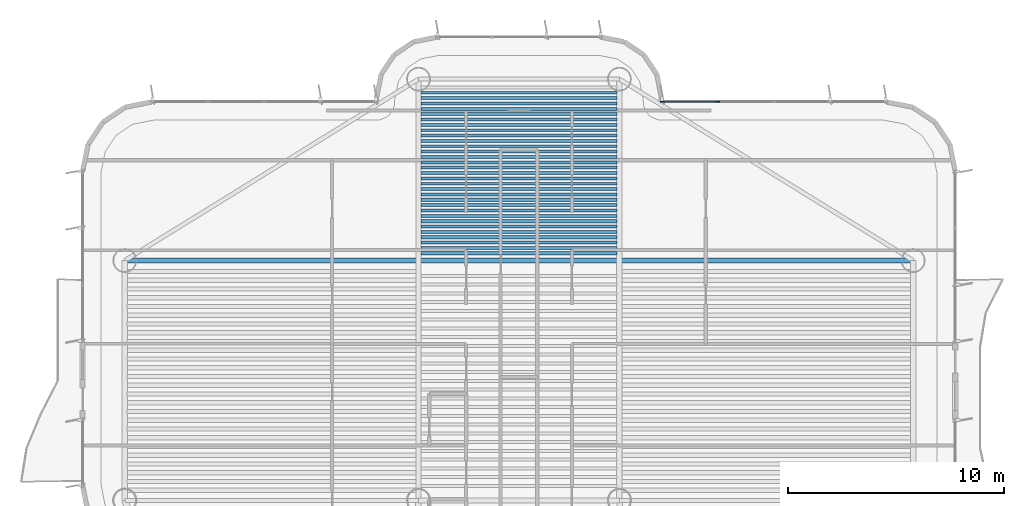
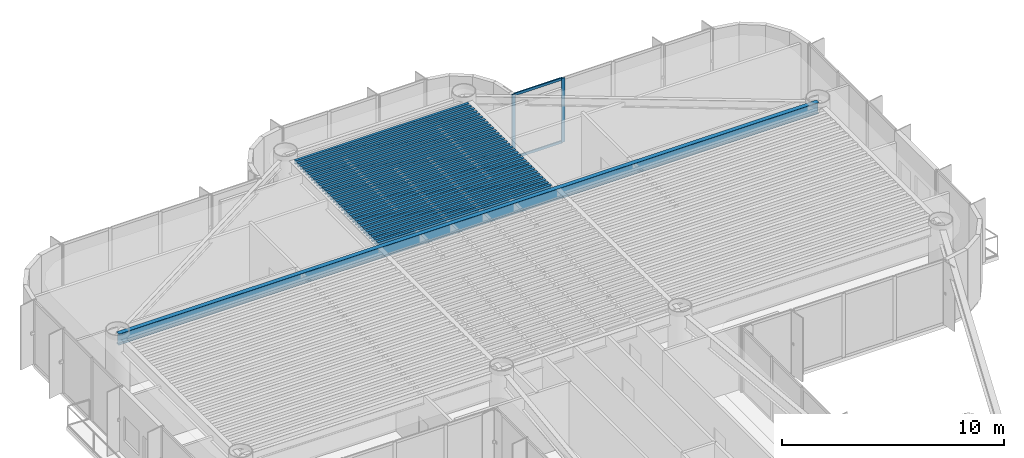
# One storey, part 6 of 14: 32 beams, 4 members, 1 element without a shape of its own.
"""IFC4 building model written with IfcOpenShell, lengths in metres."""

import ifcopenshell
import ifcopenshell.guid

model = None  # the IFC model being written
_history = None  # IfcOwnerHistory: only IFC2X3 demands one
_inside = {}  # id of a spatial element -> (the spatial element, [elements in it])
_under = {}  # id of a project, library or spatial element -> (it, [spatial elements below it])
_declared = {}  # id of a project -> (the project, [libraries it declares])
_typed = {}  # id of a type object -> (the type object, [elements of that type])
_made_of = {}  # id of a material, layer set ... -> (it, [elements and type objects made of it])


def new_model(schema):
    """Start an empty IFC model of exactly this schema.

    Asked for "IFC4X3", IfcOpenShell would pick the latest addendum, in which some entities
    have other attributes; the version numbers below select the first issue.
    IFC2X3 requires an IfcOwnerHistory on every rooted entity: one is made here for all.
    """
    global model, _history
    if schema == "IFC4X3":
        model = ifcopenshell.file(schema_version=(4, 3, 0, 0))
    else:
        model = ifcopenshell.file(schema=schema)
    _inside.clear()
    _under.clear()
    _declared.clear()
    _typed.clear()
    _made_of.clear()
    _history = None
    if model.schema == "IFC2X3":
        org = make("IfcOrganization", Name="unknown")
        user = make(
            "IfcPersonAndOrganization",
            ThePerson=make("IfcPerson", FamilyName="unknown"),
            TheOrganization=org,
        )
        app = make(
            "IfcApplication",
            ApplicationDeveloper=org,
            Version="unknown",
            ApplicationFullName="unknown",
            ApplicationIdentifier="unknown",
        )
        _history = make(
            "IfcOwnerHistory",
            OwningUser=user,
            OwningApplication=app,
            ChangeAction="ADDED",
            CreationDate=0,
        )
    return model


def make(cls, **values):
    """One entity of the class cls with the attributes given. An attribute that is None is left unset."""
    return model.create_entity(
        cls, **{name: value for name, value in values.items() if value is not None}
    )


def rooted(cls, **values):
    """An entity with a GlobalId (a new one), such as an element, a storey or a relation."""
    return make(cls, GlobalId=ifcopenshell.guid.new(), OwnerHistory=_history, **values)


def si_unit(unit_type, name, prefix=None):
    """IfcSIUnit, for example si_unit("LENGTHUNIT", "METRE", prefix="MILLI")."""
    return make("IfcSIUnit", UnitType=unit_type, Prefix=prefix, Name=name)


def assignment(units):
    """IfcUnitAssignment: the units of a project."""
    return None if units is None else make("IfcUnitAssignment", Units=units)


def point(xyz):
    """IfcCartesianPoint."""
    return None if xyz is None else make("IfcCartesianPoint", Coordinates=xyz)


def direction(xyz):
    """IfcDirection."""
    return None if xyz is None else make("IfcDirection", DirectionRatios=xyz)


def frame(location, z_axis=None, x_axis=None):
    """IfcAxis2Placement3D, a coordinate frame: its origin and axes. An axis left out is left unset."""
    return make(
        "IfcAxis2Placement3D",
        Location=point(location),
        Axis=direction(z_axis),
        RefDirection=direction(x_axis),
    )


def frame_2d(location, x_axis=None):
    """IfcAxis2Placement2D, a coordinate frame in the plane: its origin and x axis."""
    return make(
        "IfcAxis2Placement2D", Location=point(location), RefDirection=direction(x_axis)
    )


def origin():
    """The frame at (0, 0, 0) with its axes left unset."""
    return frame((0.0, 0.0, 0.0))


def origin_2d():
    """The frame at (0, 0) in the plane with its x axis left unset."""
    return frame_2d((0.0, 0.0))


def place(relative_to, where):
    """IfcLocalPlacement: puts the frame where relative to a parent placement (None: the world)."""
    return make(
        "IfcLocalPlacement", PlacementRelTo=relative_to, RelativePlacement=where
    )


def context(
    kind, dimensions, precision=None, world=None, true_north=None, identifier=None
):
    """IfcGeometricRepresentationContext, for example the 3D "Model" context."""
    return make(
        "IfcGeometricRepresentationContext",
        ContextIdentifier=identifier,
        ContextType=kind,
        CoordinateSpaceDimension=dimensions,
        Precision=precision,
        WorldCoordinateSystem=world,
        TrueNorth=true_north,
    )


def subcontext(parent, identifier, kind, view, scale=None):
    """IfcGeometricRepresentationSubContext, for example "Body" below "Model"."""
    return make(
        "IfcGeometricRepresentationSubContext",
        ContextIdentifier=identifier,
        ContextType=kind,
        ParentContext=parent,
        TargetScale=scale,
        TargetView=view,
    )


def project(units=None, contexts=None):
    """IfcProject with its units and contexts."""
    return rooted(
        "IfcProject",
        Name="project",
        RepresentationContexts=contexts,
        UnitsInContext=assignment(units),
    )


def spatial(cls, under=None, at=None, **own):
    """A site, building, storey or space (cls), placed at a placement, below another one or the project."""
    s = rooted(cls, ObjectPlacement=at, **own)
    if under is not None:
        _under.setdefault(under.id(), (under, []))[1].append(s)
    return s


def profile(cls, at=None, kind="AREA", **sizes):
    """A parametric profile (cls). Its sizes go by their IFC names, for example OverallWidth=200.0."""
    return make(cls, ProfileType=kind, Position=at, **sizes)


def rectangle(**sizes):
    """IfcRectangleProfileDef."""
    return profile("IfcRectangleProfileDef", **sizes)


def i_section(**sizes):
    """IfcIShapeProfileDef."""
    return profile("IfcIShapeProfileDef", **sizes)


def extrude(swept, where, along, depth):
    """IfcExtrudedAreaSolid: the profile swept, set in the frame where, extruded along a direction by depth."""
    return make(
        "IfcExtrudedAreaSolid",
        SweptArea=swept,
        Position=where,
        ExtrudedDirection=direction(along),
        Depth=depth,
    )


def shape(context_of_items, identifier, shape_type, items):
    """IfcShapeRepresentation: the items that make up one representation, for example the "Body"."""
    return make(
        "IfcShapeRepresentation",
        ContextOfItems=context_of_items,
        RepresentationIdentifier=identifier,
        RepresentationType=shape_type,
        Items=items,
    )


def source(mapping_origin, context_of_items, identifier, shape_type, items):
    """IfcRepresentationMap: a shape defined once, which mapped items show again and again."""
    return make(
        "IfcRepresentationMap",
        MappingOrigin=mapping_origin,
        MappedRepresentation=shape(context_of_items, identifier, shape_type, items),
    )


def transform(
    local_origin,
    x_axis=None,
    y_axis=None,
    z_axis=None,
    scale=None,
    scale2=None,
    scale3=None,
    uniform=True,
):
    """IfcCartesianTransformationOperator3D, or its non-uniform kind. x_axis, y_axis, z_axis: its Axis1, 2, 3."""
    if uniform:
        return make(
            "IfcCartesianTransformationOperator3D",
            Axis1=direction(x_axis),
            Axis2=direction(y_axis),
            LocalOrigin=point(local_origin),
            Scale=scale,
            Axis3=direction(z_axis),
        )
    return make(
        "IfcCartesianTransformationOperator3DnonUniform",
        Axis1=direction(x_axis),
        Axis2=direction(y_axis),
        LocalOrigin=point(local_origin),
        Scale=scale,
        Axis3=direction(z_axis),
        Scale2=scale2,
        Scale3=scale3,
    )


def mapped(mapping_source, mapping_target):
    """IfcMappedItem: shows the shape of a source again, moved by a transform."""
    return make(
        "IfcMappedItem", MappingSource=mapping_source, MappingTarget=mapping_target
    )


def material(Name=None, Category=None):
    """IfcMaterial."""
    return make("IfcMaterial", Name=Name, Category=Category)


def layer(
    of_material, thickness, ventilated=None, Name=None, Category=None, Priority=None
):
    """IfcMaterialLayer: one layer of a wall or slab, of a material (None: an air gap)."""
    return make(
        "IfcMaterialLayer",
        Material=of_material,
        LayerThickness=thickness,
        IsVentilated=ventilated,
        Name=Name,
        Category=Category,
        Priority=Priority,
    )


def layer_set(layers, Name=None):
    """IfcMaterialLayerSet."""
    return make("IfcMaterialLayerSet", MaterialLayers=layers, LayerSetName=Name)


def material_profile(
    of_material, cross_section, Name=None, Category=None, Priority=None
):
    """IfcMaterialProfile: a cross section and its material."""
    return make(
        "IfcMaterialProfile",
        Name=Name,
        Material=of_material,
        Profile=cross_section,
        Priority=Priority,
        Category=Category,
    )


def profile_set(profiles, Name=None, composite=None):
    """IfcMaterialProfileSet."""
    return make(
        "IfcMaterialProfileSet",
        Name=Name,
        MaterialProfiles=profiles,
        CompositeProfile=composite,
    )


def made_of(thing, what):
    """Note that an element or type object is made of a material, layer set ...; save() writes the relation."""
    if what is not None:
        _made_of.setdefault(what.id(), (what, []))[1].append(thing)
    return thing


def type_object(cls, material=None, **own):
    """A type object (cls), such as IfcWallType, which elements share."""
    return made_of(rooted(cls, **own), material)


def element(
    cls,
    number,
    at=None,
    inside=None,
    cuts=None,
    type_object=None,
    material=None,
    context=None,
    identifier="Body",
    shape_type=None,
    held_by="IfcProductDefinitionShape",
    body=None,
    shapes=None,
    **own,
):
    """One element of the class cls, such as IfcWall. Its Tag is "e" and its number.

    at: its placement. inside: the storey or other place that contains it. cuts: it is an
    opening in that element (IfcRelVoidsElement). A single representation is given by context,
    identifier, shape_type and body (its items); several are given by shapes. held_by: the class
    of the entity that holds the representations. save() writes the other relations.
    """
    e = rooted(cls, Tag="e%d" % number, ObjectPlacement=at, **own)
    if body is not None:
        shapes = [shape(context, identifier, shape_type, body)]
    if shapes is not None:
        e.Representation = make(held_by, Representations=shapes)
    if inside is not None:
        _inside.setdefault(inside.id(), (inside, []))[1].append(e)
    if cuts is not None:
        rooted(
            "IfcRelVoidsElement", RelatingBuildingElement=cuts, RelatedOpeningElement=e
        )
    if type_object is not None:
        _typed.setdefault(type_object.id(), (type_object, []))[1].append(e)
    return made_of(e, material)


def aggregate(whole, parts):
    """IfcRelAggregates: a whole, such as a stair, and the parts it consists of."""
    return rooted("IfcRelAggregates", RelatingObject=whole, RelatedObjects=parts)


def save(model, path):
    """Write the relations noted so far, then the file.

    IfcRelAggregates (storeys below a building ...), IfcRelContainedInSpatialStructure (elements
    in a storey), IfcRelDefinesByType, IfcRelAssociatesMaterial and IfcRelDeclares: one each for
    every whole, place, type object, material and project.
    """
    for whole, parts in _under.values():
        aggregate(whole, parts)
    for where, things in _inside.values():
        rooted(
            "IfcRelContainedInSpatialStructure",
            RelatedElements=things,
            RelatingStructure=where,
        )
    for kind, things in _typed.values():
        rooted("IfcRelDefinesByType", RelatedObjects=things, RelatingType=kind)
    for what, things in _made_of.values():
        rooted("IfcRelAssociatesMaterial", RelatedObjects=things, RelatingMaterial=what)
    for by, libraries in _declared.values():
        rooted("IfcRelDeclares", RelatingContext=by, RelatedDefinitions=libraries)
    model.write(path)


model = new_model("IFC4")

# Units and contexts
model_context = context("Model", 3, precision=1e-05, world=origin(), true_north=direction((0.0, 1.0)))
body_context = subcontext(model_context, "Body", "Model", "MODEL_VIEW")
ifc_project = project(units=[si_unit("LENGTHUNIT", "METRE"), si_unit("AREAUNIT", "SQUARE_METRE"), si_unit("VOLUMEUNIT", "CUBIC_METRE"), si_unit("PLANEANGLEUNIT", "RADIAN"), si_unit("MASSUNIT", "GRAM", prefix="KILO")], contexts=[model_context])

# Site, building, storey
site_placement = place(None, origin())
site = spatial("IfcSite", under=ifc_project, at=site_placement, CompositionType="ELEMENT")
building_placement = place(site_placement, origin())
building = spatial("IfcBuilding", under=site, at=building_placement, Name="Brelvock Crest Care Tower", CompositionType="ELEMENT")
storey_placement = place(building_placement, frame((0.0, 0.0, 194.219970703125)))
storey = spatial("IfcBuildingStorey", under=building, at=storey_placement, Name="L49", CompositionType="ELEMENT", Elevation=194.219970703125)

# Beams
ifc_material_1 = material(Name="Steel Grade 350", Category="steel")
ifc_material_profile_1 = material_profile(ifc_material_1, i_section(OverallWidth=0.14599609375, OverallDepth=0.256103515625, WebThickness=0.00634765625, FlangeThickness=0.010986328125, FilletRadius=0.0087890625, at=origin_2d()), Name="250UB37.3")
ifc_profile_set_1 = profile_set([ifc_material_profile_1], Name="Steel Grade 350")
beam_type_1 = type_object("IfcBeamType", Name="BM-J3", PredefinedType="JOIST", material=ifc_profile_set_1)
shared_shape_1 = source(origin(), body_context, "Body", "SweptSolid", [
    extrude(i_section(OverallWidth=0.14599609375, OverallDepth=0.256103515625, WebThickness=0.00634765625, FlangeThickness=0.010986328125, FilletRadius=0.0087890625, at=origin_2d()), origin(), (0.0, 0.0, 1.0), 9.06982421875),
])
for number, where, z_axis, x_axis, name in (
    (1, (31.465087890625, 46.385986328125, 3.402099609375), (1.0, 0.0, 0.0), (0.0, 1.0, 0.0), "BM-JN-L49-1"),
    (2, (31.465087890625, 46.6337890625, 3.402099609375), (1.0, 0.0, 0.0), (0.0, 1.0, 0.0), "BM-JN-L49-2"),
    (3, (31.465087890625, 46.881591796875, 3.402099609375), (1.0, 0.0, 0.0), (0.0, 1.0, 0.0), "BM-JN-L49-3"),
    (4, (31.465087890625, 47.12939453125, 3.402099609375), (1.0, 0.0, 0.0), (0.0, 1.0, 0.0), "BM-JN-L49-4"),
    (5, (31.465087890625, 47.377197265625, 3.402099609375), (1.0, 0.0, 0.0), (0.0, 1.0, 0.0), "BM-JN-L49-5"),
    (6, (31.465087890625, 47.625, 3.402099609375), (1.0, 0.0, 0.0), (0.0, 1.0, 0.0), "BM-JN-L49-6"),
    (7, (31.465087890625, 47.872802734375, 3.402099609375), (1.0, 0.0, 0.0), (0.0, 1.0, 0.0), "BM-JN-L49-7"),
    (8, (31.465087890625, 48.12060546875, 3.402099609375), (1.0, 0.0, 0.0), (0.0, 1.0, 0.0), "BM-JN-L49-8"),
    (9, (31.465087890625, 48.368408203125, 3.402099609375), (1.0, 0.0, 0.0), (0.0, 1.0, 0.0), "BM-JN-L49-9"),
    (10, (31.465087890625, 48.6162109375, 3.402099609375), (1.0, 0.0, 0.0), (0.0, 1.0, 0.0), "BM-JN-L49-10"),
    (11, (31.465087890625, 48.864013671875, 3.402099609375), (1.0, 0.0, 0.0), (0.0, 1.0, 0.0), "BM-JN-L49-11"),
    (12, (31.465087890625, 49.11181640625, 3.402099609375), (1.0, 0.0, 0.0), (0.0, 1.0, 0.0), "BM-JN-L49-12"),
    (13, (31.465087890625, 49.359619140625, 3.402099609375), (1.0, 0.0, 0.0), (0.0, 1.0, 0.0), "BM-JN-L49-13"),
):
    element("IfcBeam", number, at=place(storey_placement, frame(where, z_axis=z_axis, x_axis=x_axis)), inside=storey, type_object=beam_type_1, Name=name, PredefinedType="JOIST", context=body_context, shape_type="MappedRepresentation", body=[
        mapped(shared_shape_1, transform((0.0, 0.0, 0.0), x_axis=(1.0, 0.0, 0.0), y_axis=(0.0, 1.0, 0.0), z_axis=(0.0, 0.0, 1.0), scale=1.0)),
    ])
ifc_material_profile_2 = material_profile(ifc_material_1, i_section(OverallWidth=0.134033203125, OverallDepth=0.20703125, WebThickness=0.00634765625, FlangeThickness=0.009521484375, FilletRadius=0.0087890625, at=origin_2d()), Name="200UB29.8")
ifc_profile_set_2 = profile_set([ifc_material_profile_2], Name="Steel Grade 350")
beam_type_2 = type_object("IfcBeamType", Name="BM-J4", PredefinedType="JOIST", material=ifc_profile_set_2)
shared_shape_2 = source(origin(), body_context, "Body", "SweptSolid", [
    extrude(i_section(OverallWidth=0.134033203125, OverallDepth=0.20703125, WebThickness=0.00634765625, FlangeThickness=0.009521484375, FilletRadius=0.0087890625, at=origin_2d()), origin(), (0.0, 0.0, 1.0), 9.06982421875),
])
for number, where, z_axis, x_axis, name in (
    (14, (31.465087890625, 49.607421875, 3.426513671875), (1.0, 0.0, 0.0), (0.0, 1.0, 0.0), "BM-JN-L49-14"),
    (15, (31.465087890625, 49.855224609375, 3.426513671875), (1.0, 0.0, 0.0), (0.0, 1.0, 0.0), "BM-JN-L49-15"),
    (16, (31.465087890625, 50.10302734375, 3.426513671875), (1.0, 0.0, 0.0), (0.0, 1.0, 0.0), "BM-JN-L49-16"),
    (17, (31.465087890625, 50.350830078125, 3.426513671875), (1.0, 0.0, 0.0), (0.0, 1.0, 0.0), "BM-JN-L49-17"),
    (18, (31.465087890625, 50.5986328125, 3.426513671875), (1.0, 0.0, 0.0), (0.0, 1.0, 0.0), "BM-JN-L49-18"),
    (19, (31.465087890625, 50.846435546875, 3.426513671875), (1.0, 0.0, 0.0), (0.0, 1.0, 0.0), "BM-JN-L49-19"),
    (20, (31.465087890625, 51.09423828125, 3.426513671875), (1.0, 0.0, 0.0), (0.0, 1.0, 0.0), "BM-JN-L49-20"),
    (21, (31.465087890625, 51.342041015625, 3.426513671875), (1.0, 0.0, 0.0), (0.0, 1.0, 0.0), "BM-JN-L49-21"),
    (22, (31.465087890625, 51.58984375, 3.426513671875), (1.0, 0.0, 0.0), (0.0, 1.0, 0.0), "BM-JN-L49-22"),
    (23, (31.465087890625, 51.837646484375, 3.426513671875), (1.0, 0.0, 0.0), (0.0, 1.0, 0.0), "BM-JN-L49-23"),
    (24, (31.465087890625, 52.08544921875, 3.426513671875), (1.0, 0.0, 0.0), (0.0, 1.0, 0.0), "BM-JN-L49-24"),
    (25, (31.465087890625, 52.333251953125, 3.426513671875), (1.0, 0.0, 0.0), (0.0, 1.0, 0.0), "BM-JN-L49-25"),
    (26, (31.465087890625, 52.5810546875, 3.426513671875), (1.0, 0.0, 0.0), (0.0, 1.0, 0.0), "BM-JN-L49-26"),
    (27, (31.465087890625, 52.828857421875, 3.426513671875), (1.0, 0.0, 0.0), (0.0, 1.0, 0.0), "BM-JN-L49-27"),
    (28, (31.465087890625, 53.07666015625, 3.426513671875), (1.0, 0.0, 0.0), (0.0, 1.0, 0.0), "BM-JN-L49-28"),
    (29, (31.465087890625, 53.324462890625, 3.426513671875), (1.0, 0.0, 0.0), (0.0, 1.0, 0.0), "BM-JN-L49-29"),
    (30, (31.465087890625, 53.572265625, 3.426513671875), (1.0, 0.0, 0.0), (0.0, 1.0, 0.0), "BM-JN-L49-30"),
    (31, (31.465087890625, 53.820068359375, 3.426513671875), (1.0, 0.0, 0.0), (0.0, 1.0, 0.0), "BM-JN-L49-31"),
):
    element("IfcBeam", number, at=place(storey_placement, frame(where, z_axis=z_axis, x_axis=x_axis)), inside=storey, type_object=beam_type_2, Name=name, PredefinedType="JOIST", context=body_context, shape_type="MappedRepresentation", body=[
        mapped(shared_shape_2, transform((0.0, 0.0, 0.0), x_axis=(1.0, 0.0, 0.0), y_axis=(0.0, 1.0, 0.0), z_axis=(0.0, 0.0, 1.0), scale=1.0)),
    ])
ifc_material_profile_3 = material_profile(ifc_material_1, i_section(OverallWidth=0.22900390625, OverallDepth=0.612060546875, WebThickness=0.011962890625, FlangeThickness=0.01953125, FilletRadius=0.013916015625, at=origin_2d()), Name="610UB125")
ifc_profile_set_3 = profile_set([ifc_material_profile_3], Name="Steel Grade 350")
beam_type_3 = type_object("IfcBeamType", Name="BM-G1", PredefinedType="BEAM", material=ifc_profile_set_3)
shared_shape_3 = source(origin(), body_context, "Body", "SweptSolid", [
    extrude(i_section(OverallWidth=0.22900390625, OverallDepth=0.612060546875, WebThickness=0.011962890625, FlangeThickness=0.01953125, FilletRadius=0.013916015625, at=origin_2d()), origin(), (0.0, 0.0, 1.0), 36.5),
])
beam_placement = place(storey_placement, frame((17.75, 46.050048828125, 3.22412109375), z_axis=(1.0, 0.0, 0.0), x_axis=(0.0, 1.0, 0.0)))
element("IfcBeam", 32, at=beam_placement, inside=storey, type_object=beam_type_3, Name="BM-TWR-L49-11", PredefinedType="BEAM", context=body_context, shape_type="MappedRepresentation", body=[
    mapped(shared_shape_3, transform((0.0, 0.0, 0.0), x_axis=(1.0, 0.0, 0.0), y_axis=(0.0, 1.0, 0.0), z_axis=(0.0, 0.0, 1.0), scale=1.0)),
])

# Curtain wall, members
ifc_material_2 = material(Name="Dark Glass Double Glazed Low-E", Category="glass")
ifc_layer = layer(ifc_material_2, 0.22509765625, Name="CWS-4")
ifc_layer_set = layer_set([ifc_layer], Name="Dark Glass Double Glazed Low-E")
curtain_wall_type = type_object("IfcCurtainWallType", Name="CWS-4", PredefinedType="NOTDEFINED", material=ifc_layer_set)
curtain_wall_placement = place(storey_placement, origin())
curtain_wall = element("IfcCurtainWall", 33, at=curtain_wall_placement, inside=storey, type_object=curtain_wall_type, Name="L49 Curtain Wall E34", PredefinedType="NOTDEFINED")
ifc_material_3 = material(Name="Aluminium 6063-T6", Category="aluminium")
ifc_material_profile_4 = material_profile(ifc_material_3, rectangle(XDim=0.06005859375, YDim=0.179931640625, at=origin_2d()), Name="ALU60x180")
ifc_profile_set_4 = profile_set([ifc_material_profile_4], Name="Aluminium 6063-T6")
member_type_1 = type_object("IfcMemberType", Name="CWM-2", PredefinedType="MULLION", material=ifc_profile_set_4)
shared_shape_4 = source(origin(), body_context, "Body", "SweptSolid", [
    extrude(rectangle(XDim=0.06005859375, YDim=0.179931640625, at=origin_2d()), origin(), (0.0, 0.0, 1.0), 3.530029296875),
])
member_1_placement = place(storey_placement, frame((42.6298828125, 53.39990234375, 0.0), z_axis=(0.0, 0.0, 1.0), x_axis=(0.0, 1.0, 0.0)))
member_1 = element("IfcMember", 34, at=member_1_placement, type_object=member_type_1, Name="CW-4 mullion 1", PredefinedType="MULLION", context=body_context, shape_type="MappedRepresentation", body=[
    mapped(shared_shape_4, transform((0.0, 0.0, 0.0), x_axis=(1.0, 0.0, 0.0), y_axis=(0.0, 1.0, 0.0), z_axis=(0.0, 0.0, 1.0), scale=1.0)),
])
member_2_placement = place(storey_placement, frame((45.199951171875, 53.39990234375, 0.0), z_axis=(0.0, 0.0, 1.0), x_axis=(0.0, 1.0, 0.0)))
member_2 = element("IfcMember", 35, at=member_2_placement, type_object=member_type_1, Name="CW-4 mullion 2", PredefinedType="MULLION", context=body_context, shape_type="MappedRepresentation", body=[
    mapped(shared_shape_4, transform((0.0, 0.0, 0.0), x_axis=(1.0, 0.0, 0.0), y_axis=(0.0, 1.0, 0.0), z_axis=(0.0, 0.0, 1.0), scale=1.0)),
])
ifc_material_profile_5 = material_profile(ifc_material_3, rectangle(XDim=0.06005859375, YDim=0.139892578125, at=origin_2d()), Name="ALU60x140")
ifc_profile_set_5 = profile_set([ifc_material_profile_5], Name="Aluminium 6063-T6")
member_type_2 = type_object("IfcMemberType", Name="CWT-2", PredefinedType="USERDEFINED", material=ifc_profile_set_5)
shared_shape_5 = source(origin(), body_context, "Body", "SweptSolid", [
    extrude(rectangle(XDim=0.06005859375, YDim=0.139892578125, at=origin_2d()), origin(), (0.0, 0.0, 1.0), 2.510009765625),
])
member_3_placement = place(storey_placement, frame((42.659912109375, 53.39990234375, 0.030029296875), z_axis=(1.0, 0.0, 0.0), x_axis=(0.0, 1.0, 0.0)))
member_3 = element("IfcMember", 36, at=member_3_placement, type_object=member_type_2, Name="CW-4 transom 1.1", ObjectType="TRANSOM", PredefinedType="USERDEFINED", context=body_context, shape_type="MappedRepresentation", body=[
    mapped(shared_shape_5, transform((0.0, 0.0, 0.0), x_axis=(1.0, 0.0, 0.0), y_axis=(0.0, 1.0, 0.0), z_axis=(0.0, 0.0, 1.0), scale=1.0)),
])
member_4_placement = place(storey_placement, frame((42.659912109375, 53.39990234375, 3.5), z_axis=(1.0, 0.0, 0.0), x_axis=(0.0, 1.0, 0.0)))
member_4 = element("IfcMember", 37, at=member_4_placement, type_object=member_type_2, Name="CW-4 transom 1.2", ObjectType="TRANSOM", PredefinedType="USERDEFINED", context=body_context, shape_type="MappedRepresentation", body=[
    mapped(shared_shape_5, transform((0.0, 0.0, 0.0), x_axis=(1.0, 0.0, 0.0), y_axis=(0.0, 1.0, 0.0), z_axis=(0.0, 0.0, 1.0), scale=1.0)),
])
aggregate(curtain_wall, [member_1, member_2, member_3, member_4])

save(model, "model.ifc")
